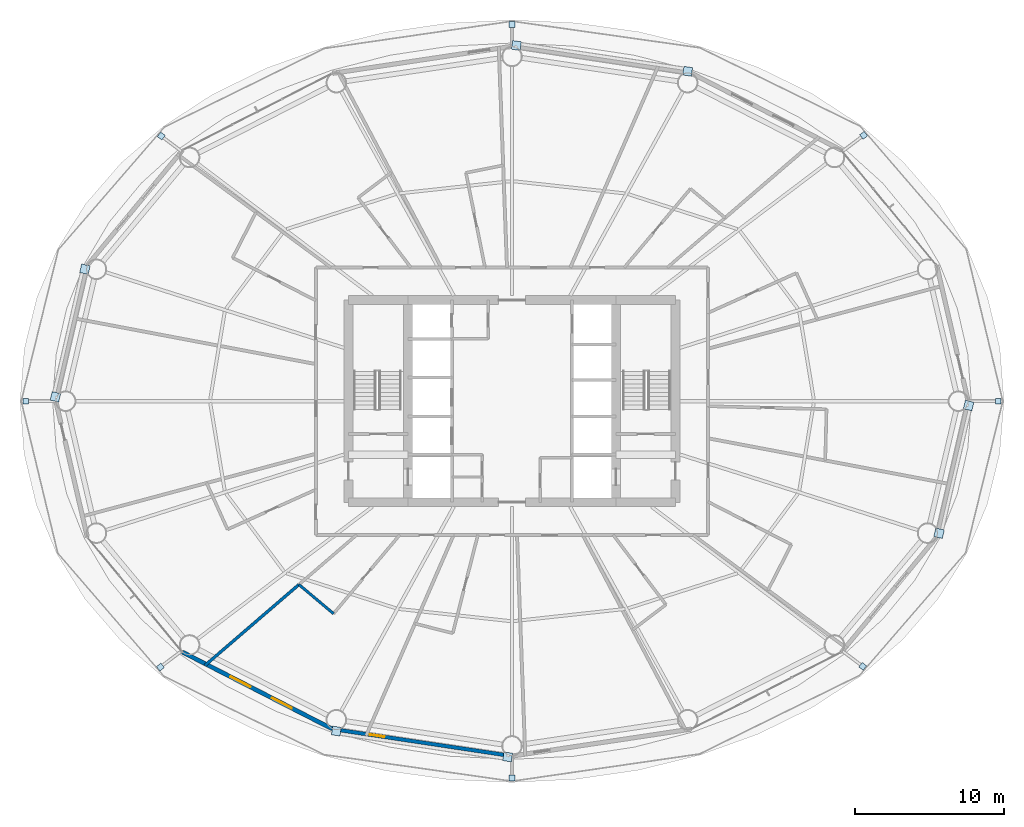
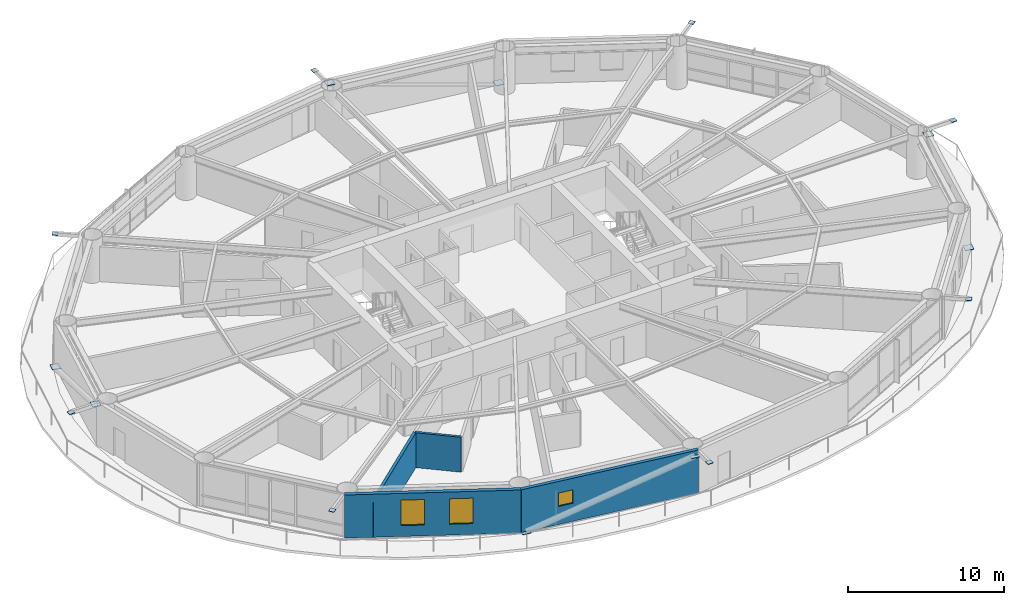
# One storey, part 19 of 26: 16 plates, 4 walls, 3 windows, 3 openings.
"""IFC4 building model written with IfcOpenShell, lengths in metres."""

from ifc_helpers import new_model, si_unit, direction, frame, frame_2d, origin, origin_2d, place, context, subcontext, project, spatial, rectangle, extrude, material, layer, layer_set, type_object, element, fill, save


model = new_model("IFC4")

# Units and contexts
model_context = context("Model", 3, precision=1e-05, world=origin(), true_north=direction((0.0, 1.0)))
body_context = subcontext(model_context, "Body", "Model", "MODEL_VIEW")
ifc_project = project(units=[si_unit("LENGTHUNIT", "METRE"), si_unit("AREAUNIT", "SQUARE_METRE"), si_unit("VOLUMEUNIT", "CUBIC_METRE"), si_unit("PLANEANGLEUNIT", "RADIAN"), si_unit("MASSUNIT", "GRAM", prefix="KILO")], contexts=[model_context])

# Site, building, storey
site_placement = place(None, origin())
site = spatial("IfcSite", under=ifc_project, at=site_placement, CompositionType="ELEMENT")
building_placement = place(site_placement, origin())
building = spatial("IfcBuilding", under=site, at=building_placement, Name="Sarneth Arch Tower", CompositionType="ELEMENT")
storey_placement = place(building_placement, frame((0.0, 0.0, 39.0)))
storey = spatial("IfcBuildingStorey", under=building, at=storey_placement, Name="L08", CompositionType="ELEMENT", Elevation=39.0)

# Plates
ifc_material_1 = material(Name="Steel S355", Category="steel")
ifc_layer_1 = layer(ifc_material_1, 0.035888671875)
ifc_layer_set_1 = layer_set([ifc_layer_1], Name="Steel S355")
plate_type = type_object("IfcPlateType", Name="PLT-GUSSET-30", PredefinedType="SHEET", material=ifc_layer_set_1)
for number, where, z_axis, x_axis, name in (
    (1, (80.732177734375, 42.0, 3.2021484375), (0.0, 0.0, 1.0), (1.0, 0.0, 0.0), "Steel end cap plate GP-1"),
    (2, (71.66162109375, 59.890625, 3.2021484375), (0.0, 0.0, 1.0), (0.797689196331, 0.603068773902, 0.0), "Steel end cap plate GP-1"),
):
    element("IfcPlate", number, at=place(storey_placement, frame(where, z_axis=z_axis, x_axis=x_axis)), inside=storey, type_object=plate_type, Name=name, PredefinedType="SHEET", context=body_context, shape_type="SweptSolid", body=[
        extrude(rectangle(XDim=0.3798828125, YDim=0.3798828125, at=origin_2d()), origin(), (0.0, 0.0, 1.0), 0.035888671875),
    ])
for number, where, z_axis, x_axis, name in (
    (3, (59.819580078125, 64.19921875, 0.001953125), (0.0, 0.0, 1.0), (-0.98883454203, 0.149017611339, 0.0), "Steel end cap plate GP-1"),
    (4, (48.296630859375, 65.935302734375, 2.98876953125), (0.0, 0.0, 1.0), (-0.98883454203, 0.149017611339, 0.0), "Steel end cap plate GP-1"),
):
    element("IfcPlate", number, at=place(storey_placement, frame(where, z_axis=z_axis, x_axis=x_axis)), inside=storey, type_object=plate_type, Name=name, PredefinedType="SHEET", context=body_context, shape_type="SweptSolid", body=[
        extrude(rectangle(XDim=0.587890625, YDim=0.587890625, at=origin_2d()), origin(), (0.0, 0.0, 1.0), 0.035888671875),
    ])
for number, where, z_axis, x_axis, name in (
    (5, (48.0, 67.352783203125, 3.2021484375), (0.0, 0.0, 1.0), (0.0, 1.0, 0.0), "Steel end cap plate GP-1"),
    (6, (24.399658203125, 59.84423828125, 3.2021484375), (0.0, 0.0, 1.0), (-0.797689196331, 0.603068773902, 0.0), "Steel end cap plate GP-1"),
):
    element("IfcPlate", number, at=place(storey_placement, frame(where, z_axis=z_axis, x_axis=x_axis)), inside=storey, type_object=plate_type, Name=name, PredefinedType="SHEET", context=body_context, shape_type="SweptSolid", body=[
        extrude(rectangle(XDim=0.3798828125, YDim=0.3798828125, at=origin_2d()), origin(), (0.0, 0.0, 1.0), 0.035888671875),
    ])
for number, where, z_axis, x_axis, name in (
    (7, (19.260986328125, 50.884521484375, 0.001953125), (0.0, 0.0, 1.0), (-0.225291159947, -0.974291482694, 0.0), "Steel end cap plate GP-1"),
    (8, (17.274658203125, 42.292236328125, 2.98876953125), (0.0, 0.0, 1.0), (-0.225291159947, -0.974291482694, 0.0), "Steel end cap plate GP-1"),
):
    element("IfcPlate", number, at=place(storey_placement, frame(where, z_axis=z_axis, x_axis=x_axis)), inside=storey, type_object=plate_type, Name=name, PredefinedType="SHEET", context=body_context, shape_type="SweptSolid", body=[
        extrude(rectangle(XDim=0.587890625, YDim=0.587890625, at=origin_2d()), origin(), (0.0, 0.0, 1.0), 0.035888671875),
    ])
for number, where, z_axis, x_axis, name in (
    (9, (15.267822265625, 42.0, 3.2021484375), (0.0, 0.0, 1.0), (-1.0, 0.0, 0.0), "Steel end cap plate GP-1"),
    (10, (24.33837890625, 24.109375, 3.2021484375), (0.0, 0.0, 1.0), (-0.797689196331, -0.603068773902, 0.0), "Steel end cap plate GP-1"),
):
    element("IfcPlate", number, at=place(storey_placement, frame(where, z_axis=z_axis, x_axis=x_axis)), inside=storey, type_object=plate_type, Name=name, PredefinedType="SHEET", context=body_context, shape_type="SweptSolid", body=[
        extrude(rectangle(XDim=0.3798828125, YDim=0.3798828125, at=origin_2d()), origin(), (0.0, 0.0, 1.0), 0.035888671875),
    ])
for number, where, z_axis, x_axis, name in (
    (11, (36.180419921875, 19.80078125, 0.001953125), (0.0, 0.0, 1.0), (0.98883454203, -0.149017611339, 0.0), "Steel end cap plate GP-1"),
    (12, (47.703369140625, 18.064697265625, 2.98876953125), (0.0, 0.0, 1.0), (0.98883454203, -0.149017611339, 0.0), "Steel end cap plate GP-1"),
):
    element("IfcPlate", number, at=place(storey_placement, frame(where, z_axis=z_axis, x_axis=x_axis)), inside=storey, type_object=plate_type, Name=name, PredefinedType="SHEET", context=body_context, shape_type="SweptSolid", body=[
        extrude(rectangle(XDim=0.587890625, YDim=0.587890625, at=origin_2d()), origin(), (0.0, 0.0, 1.0), 0.035888671875),
    ])
for number, where, z_axis, x_axis, name in (
    (13, (48.0, 16.647216796875, 3.2021484375), (0.0, 0.0, 1.0), (0.0, -1.0, 0.0), "Steel end cap plate GP-1"),
    (14, (71.600341796875, 24.15576171875, 3.2021484375), (0.0, 0.0, 1.0), (0.797689196331, -0.603068773902, 0.0), "Steel end cap plate GP-1"),
):
    element("IfcPlate", number, at=place(storey_placement, frame(where, z_axis=z_axis, x_axis=x_axis)), inside=storey, type_object=plate_type, Name=name, PredefinedType="SHEET", context=body_context, shape_type="SweptSolid", body=[
        extrude(rectangle(XDim=0.3798828125, YDim=0.3798828125, at=origin_2d()), origin(), (0.0, 0.0, 1.0), 0.035888671875),
    ])
for number, where, z_axis, x_axis, name in (
    (15, (76.739013671875, 33.115478515625, 0.001953125), (0.0, 0.0, 1.0), (0.225291159947, 0.974291482694, 0.0), "Steel end cap plate GP-1"),
    (16, (78.725341796875, 41.707763671875, 2.98876953125), (0.0, 0.0, 1.0), (0.225291159947, 0.974291482694, 0.0), "Steel end cap plate GP-1"),
):
    element("IfcPlate", number, at=place(storey_placement, frame(where, z_axis=z_axis, x_axis=x_axis)), inside=storey, type_object=plate_type, Name=name, PredefinedType="SHEET", context=body_context, shape_type="SweptSolid", body=[
        extrude(rectangle(XDim=0.587890625, YDim=0.587890625, at=origin_2d()), origin(), (0.0, 0.0, 1.0), 0.035888671875),
    ])

# Wall, opening, window
ifc_material_2 = material(Name="Extruded terracotta rainscreen on Concrete C40/50 backing", Category="masonry")
ifc_layer_2 = layer(ifc_material_2, 0.25)
ifc_layer_set_2 = layer_set([ifc_layer_2], Name="Extruded terracotta rainscreen on Concrete C40/50 backing")
wall_type_1 = type_object("IfcWallType", Name="WALL-EXT-SPAND-250", PredefinedType="SOLIDWALL", material=ifc_layer_set_2)
wall_1_placement = place(storey_placement, frame((35.922119140625, 19.937744140625, 0.0), z_axis=(0.0, 0.0, 1.0), x_axis=(0.988864835849, -0.148816452121, 0.0)))
wall_1 = element("IfcWall", 17, at=wall_1_placement, inside=storey, type_object=wall_type_1, Name="L08 Terracotta perimeter wall 12", PredefinedType="SOLIDWALL", context=body_context, shape_type="SweptSolid", body=[
    extrude(rectangle(XDim=12.2138671875, YDim=0.25, at=frame_2d((6.10693359375, 0.0))), origin(), (0.0, 0.0, 1.0), 3.3798828125),
])
opening_1_placement = place(wall_1_placement, frame((2.535888671875, 0.0, 1.419921875)))
opening_1 = element("IfcOpeningElement", 18, at=opening_1_placement, cuts=wall_1, Name="Opening W-14", PredefinedType="OPENING", context=body_context, shape_type="SweptSolid", body=[
    extrude(rectangle(XDim=1.0, YDim=1.050048828125, at=frame_2d((0.5, 0.52490234375))), frame((0.0, 0.135009765625, 0.0), z_axis=(0.0, -1.0, 0.0), x_axis=(1.0, 0.0, 0.0)), (0.0, 0.0, 1.0), 0.27001953125),
])
ifc_material_3 = material(Name="Thermally broken Aluminium 6063-T6 and low-e laminated IGU", Category="aluminium")
window_type_1 = type_object("IfcWindowType", Name="WIN-TWR-1000x1050", PartitioningType="SINGLE_PANEL", PredefinedType="WINDOW", material=ifc_material_3)
window_1_placement = place(opening_1_placement, origin())
window_1 = element("IfcWindow", 19, at=window_1_placement, inside=storey, type_object=window_type_1, Name="L08 Dwelling bedroom window 01", OverallHeight=1.050048828125, OverallWidth=1.0, PartitioningType="SINGLE_PANEL", PredefinedType="WINDOW", context=body_context, shape_type="SweptSolid", body=[
    extrude(rectangle(XDim=1.0, YDim=1.050048828125, at=frame_2d((0.5, 0.52490234375))), frame((0.0, 0.030029296875, 0.0), z_axis=(0.0, -1.0, 0.0), x_axis=(1.0, 0.0, 0.0)), (0.0, 0.0, 1.0), 0.06005859375),
])
fill(opening_1, window_1)

# Wall, openings, windows
ifc_material_4 = material(Name="Extruded terracotta rainscreen on Concrete C40/50 backing", Category="masonry")
ifc_layer_3 = layer(ifc_material_4, 0.280029296875)
ifc_layer_set_3 = layer_set([ifc_layer_3], Name="Extruded terracotta rainscreen on Concrete C40/50 backing")
wall_type_2 = type_object("IfcWallType", Name="WALL-EXT-TERRA-280", PredefinedType="SOLIDWALL", material=ifc_layer_set_3)
wall_2_placement = place(storey_placement, frame((25.825927734375, 25.1142578125, 0.0), z_axis=(0.0, 0.0, 1.0), x_axis=(0.889853976658, -0.456245438581, 0.0)))
wall_2 = element("IfcWall", 20, at=wall_2_placement, inside=storey, type_object=wall_type_2, Name="L08 Terracotta perimeter wall 11", PredefinedType="SOLIDWALL", context=body_context, shape_type="SweptSolid", body=[
    extrude(rectangle(XDim=11.345947265625, YDim=0.280029296875, at=frame_2d((5.6728515625, 0.0))), origin(), (0.0, 0.0, 1.0), 3.3798828125),
])
opening_2_placement = place(wall_2_placement, frame((3.6318359375, 0.0, 0.85009765625)))
opening_2 = element("IfcOpeningElement", 21, at=opening_2_placement, cuts=wall_2, Name="Opening W-06", PredefinedType="OPENING", context=body_context, shape_type="SweptSolid", body=[
    extrude(rectangle(XDim=1.5, YDim=2.0, at=frame_2d((0.75, 1.0))), frame((0.0, 0.14990234375, 0.0), z_axis=(0.0, -1.0, 0.0), x_axis=(1.0, 0.0, 0.0)), (0.0, 0.0, 1.0), 0.300048828125),
])
opening_3_placement = place(wall_2_placement, frame((6.76123046875, 0.0, 0.85009765625)))
opening_3 = element("IfcOpeningElement", 22, at=opening_3_placement, cuts=wall_2, Name="Opening W-06", PredefinedType="OPENING", context=body_context, shape_type="SweptSolid", body=[
    extrude(rectangle(XDim=1.5, YDim=2.0, at=frame_2d((0.75, 1.0))), frame((0.0, 0.14990234375, 0.0), z_axis=(0.0, -1.0, 0.0), x_axis=(1.0, 0.0, 0.0)), (0.0, 0.0, 1.0), 0.300048828125),
])
ifc_material_5 = material(Name="Thermally broken Aluminium 6063-T6 and low-e laminated IGU", Category="aluminium")
window_type_2 = type_object("IfcWindowType", Name="WIN-TWR-1500x2000", PartitioningType="SINGLE_PANEL", PredefinedType="WINDOW", material=ifc_material_5)
window_2_placement = place(opening_2_placement, origin())
window_2 = element("IfcWindow", 23, at=window_2_placement, inside=storey, type_object=window_type_2, Name="L08 Exterior window 11A", OverallHeight=2.0, OverallWidth=1.5, PartitioningType="SINGLE_PANEL", PredefinedType="WINDOW", context=body_context, shape_type="SweptSolid", body=[
    extrude(rectangle(XDim=1.5, YDim=2.0, at=frame_2d((0.75, 1.0))), frame((0.0, 0.030029296875, 0.0), z_axis=(0.0, -1.0, 0.0), x_axis=(1.0, 0.0, 0.0)), (0.0, 0.0, 1.0), 0.06005859375),
])
fill(opening_2, window_2)
window_3_placement = place(opening_3_placement, origin())
window_3 = element("IfcWindow", 24, at=window_3_placement, inside=storey, type_object=window_type_2, Name="L08 Exterior window 11B", OverallHeight=2.0, OverallWidth=1.5, PartitioningType="SINGLE_PANEL", PredefinedType="WINDOW", context=body_context, shape_type="SweptSolid", body=[
    extrude(rectangle(XDim=1.5, YDim=2.0, at=frame_2d((0.75, 1.0))), frame((0.0, 0.030029296875, 0.0), z_axis=(0.0, -1.0, 0.0), x_axis=(1.0, 0.0, 0.0)), (0.0, 0.0, 1.0), 0.06005859375),
])
fill(opening_3, window_3)

# Walls
ifc_material_6 = material(Name="Moisture-resistant plumbing chase wall", Category="gypsum")
ifc_layer_4 = layer(ifc_material_6, 0.179931640625)
ifc_layer_set_4 = layer_set([ifc_layer_4], Name="Moisture-resistant plumbing chase wall")
wall_type_3 = type_object("IfcWallType", Name="WALL-PLUMB-180", PredefinedType="PLUMBINGWALL", material=ifc_layer_set_4)
wall_3_placement = place(storey_placement, frame((35.99169921875, 27.703369140625, 0.0), z_axis=(0.0, 0.0, 1.0), x_axis=(-0.765736471754, 0.643154457208, 0.0)))
element("IfcWall", 25, at=wall_3_placement, inside=storey, type_object=wall_type_3, Name="L08 Interior partition W-L08-TP-059", PredefinedType="PLUMBINGWALL", context=body_context, shape_type="SweptSolid", body=[
    extrude(rectangle(XDim=3.043212890625, YDim=0.179931640625, at=frame_2d((1.521484375, 0.0))), origin(), (0.0, 0.0, 1.0), 2.739990234375),
])
ifc_material_7 = material(Name="Double steel-stud acoustic drywall", Category="steel")
ifc_layer_5 = layer(ifc_material_7, 0.199951171875)
ifc_layer_set_5 = layer_set([ifc_layer_5], Name="Double steel-stud acoustic drywall")
wall_type_4 = type_object("IfcWallType", Name="WALL-UNIT-200", PredefinedType="PARTITIONING", material=ifc_layer_set_5)
wall_4_placement = place(storey_placement, frame((27.33447265625, 24.2158203125, 0.0), z_axis=(0.0, 0.0, 1.0), x_axis=(0.757966817992, 0.652293111127, 0.0)))
element("IfcWall", 26, at=wall_4_placement, inside=storey, type_object=wall_type_4, Name="L08 Interior partition W-L08-TP-056", PredefinedType="PARTITIONING", context=body_context, shape_type="SweptSolid", body=[
    extrude(rectangle(XDim=8.34716796875, YDim=0.199951171875, at=frame_2d((4.173583984375, 0.0))), origin(), (0.0, 0.0, 1.0), 2.739990234375),
])

save(model, "model.ifc")
